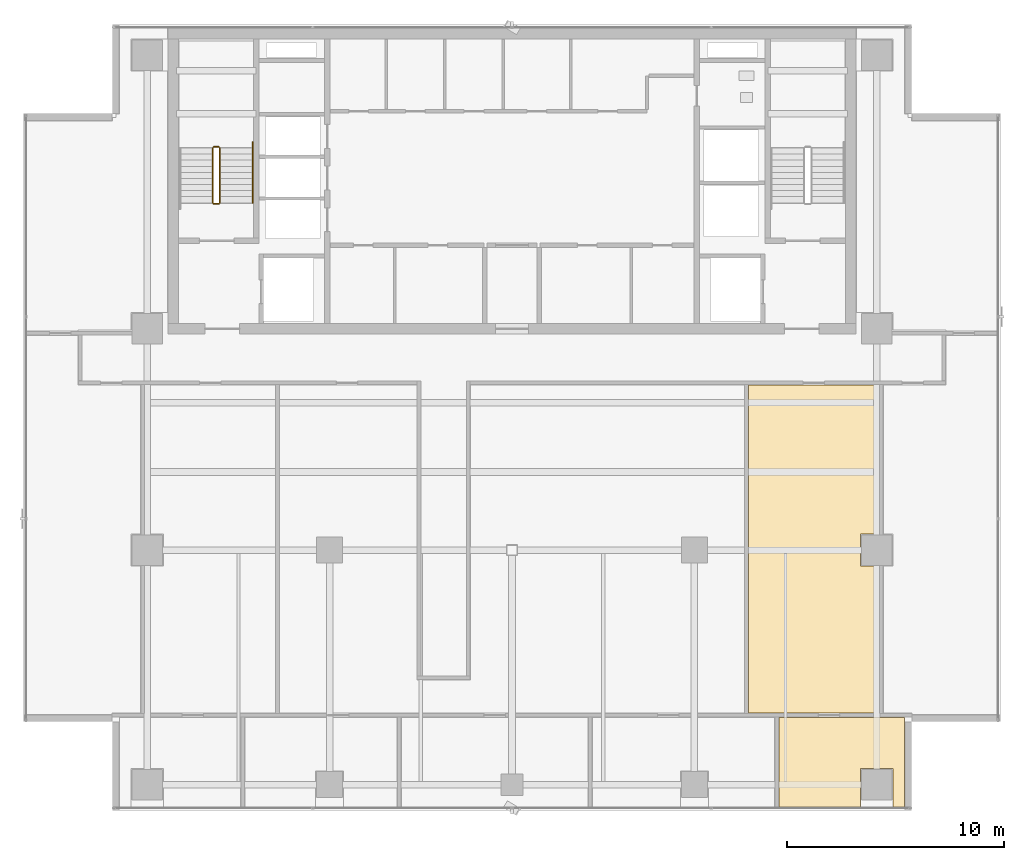
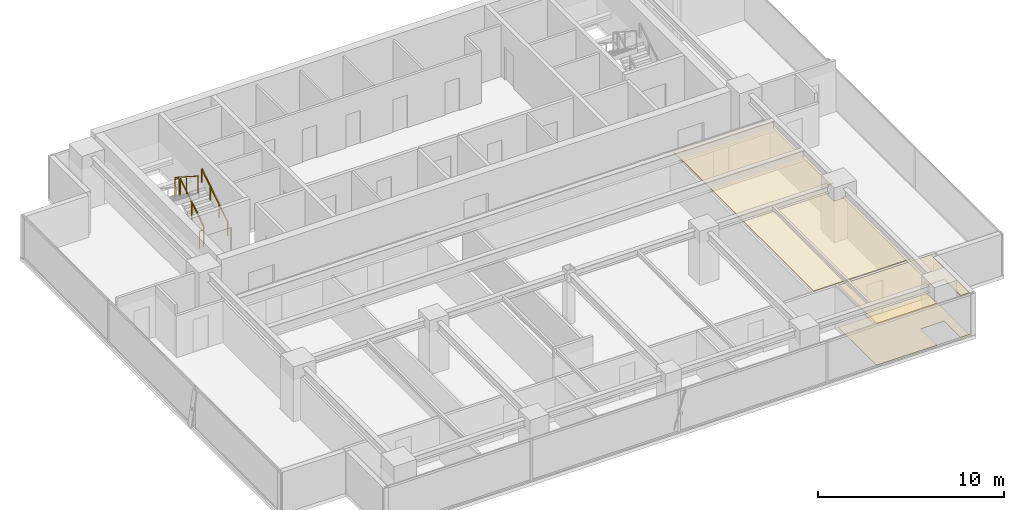
# One storey, part 24 of 26: 5 railings, 3 coverings.
"""IFC4 building model written with IfcOpenShell, lengths in metres."""

from ifc_helpers import new_model, si_unit, direction, frame, origin, origin_2d, place, context, subcontext, project, spatial, polyline, rectangle, outline, extrude, material, layer, layer_set, type_object, element, save


model = new_model("IFC4")

# Units and contexts
model_context = context("Model", 3, precision=1e-05, world=origin(), true_north=direction((0.0, 1.0)))
body_context = subcontext(model_context, "Body", "Model", "MODEL_VIEW")
ifc_project = project(units=[si_unit("LENGTHUNIT", "METRE"), si_unit("AREAUNIT", "SQUARE_METRE"), si_unit("VOLUMEUNIT", "CUBIC_METRE"), si_unit("PLANEANGLEUNIT", "RADIAN"), si_unit("MASSUNIT", "GRAM", prefix="KILO")], contexts=[model_context])

# Site, building, storey
site_placement = place(None, origin())
site = spatial("IfcSite", under=ifc_project, at=site_placement, CompositionType="ELEMENT")
building_placement = place(site_placement, origin())
building = spatial("IfcBuilding", under=site, at=building_placement, Name="Sumidabori Civic Tower", CompositionType="ELEMENT")
storey_placement = place(building_placement, frame((0.0, 0.0, 261.199951171875)))
storey = spatial("IfcBuildingStorey", under=building, at=storey_placement, Name="L68", CompositionType="ELEMENT", Elevation=261.199951171875)

# Coverings
ifc_material_1 = material(Name="Gypsum Coffered Acoustic Ceiling")
ifc_layer_1 = layer(ifc_material_1, 0.06494140625, Name="Gypsum Coffered Acoustic Ceiling")
ifc_layer_set_1 = layer_set([ifc_layer_1], Name="Gypsum Coffered Acoustic Ceiling")
covering_type_1 = type_object("IfcCoveringType", Name="CV-CEIL-AC4", PredefinedType="CEILING", material=ifc_layer_set_1)
covering_1_placement = place(storey_placement, frame((0.0, 0.0, 2.719970703125)))
element("IfcCovering", 1, at=covering_1_placement, inside=storey, type_object=covering_type_1, Name="Room Acoustic Ceiling L68-06", PredefinedType="CEILING", context=body_context, shape_type="SweptSolid", body=[
    extrude(outline(polyline([(10.902587890625, 7.614990234375), (16.8974609375, 7.614990234375), (16.8974609375, 0.739990234375), (16.06005859375, 0.739990234375), (16.06005859375, -0.739990234375), (16.8974609375, -0.739990234375), (16.8974609375, -7.49755859375), (10.902587890625, -7.49755859375), (10.902587890625, 7.614990234375)])), origin(), (0.0, 0.0, 1.0), 0.065185546875),
])
covering_2_placement = place(storey_placement, frame((0.0, 0.0, 2.719970703125)))
element("IfcCovering", 2, at=covering_2_placement, inside=storey, type_object=covering_type_1, Name="Room Acoustic Ceiling L68-09", PredefinedType="CEILING", context=body_context, shape_type="SweptSolid", body=[
    extrude(outline(polyline([(18.072021484375, -11.830078125), (17.5400390625, -11.830078125), (17.5400390625, -10.06005859375), (16.06005859375, -10.06005859375), (16.06005859375, -11.830078125), (12.302490234375, -11.830078125), (12.302490234375, -7.702392578125), (18.072021484375, -7.702392578125), (18.072021484375, -11.830078125)])), origin(), (0.0, 0.0, 1.0), 0.065185546875),
])
ifc_material_2 = material(Name="Honed Terrazzo Tile Flooring")
ifc_layer_2 = layer(ifc_material_2, 0.030029296875, Name="Honed Terrazzo Tile Flooring")
ifc_layer_set_2 = layer_set([ifc_layer_2], Name="Honed Terrazzo Tile Flooring")
covering_type_2 = type_object("IfcCoveringType", Name="CV-FLR-TER", PredefinedType="FLOORING", material=ifc_layer_set_2)
covering_3_placement = place(storey_placement, origin())
element("IfcCovering", 3, at=covering_3_placement, inside=storey, type_object=covering_type_2, Name="Room Terrazzo Floor L68-09", PredefinedType="FLOORING", context=body_context, shape_type="SweptSolid", body=[
    extrude(outline(polyline([(18.072021484375, -11.830078125), (17.5400390625, -11.830078125), (17.5400390625, -10.06005859375), (16.06005859375, -10.06005859375), (16.06005859375, -11.830078125), (12.302490234375, -11.830078125), (12.302490234375, -7.702392578125), (18.072021484375, -7.702392578125), (18.072021484375, -11.830078125)])), origin(), (0.0, 0.0, 1.0), 0.030029296875),
])

# Railings
ifc_material_3 = material(Name="Stainless Steel Hairline Finish", Category="steel")
railing_type_1 = type_object("IfcRailingType", Name="RL-HANDRAIL", PredefinedType="HANDRAIL", material=ifc_material_3)
railing_1_placement = place(storey_placement, frame((-11.949951171875, 16.0, 0.179931640625)))
element("IfcRailing", 4, at=railing_1_placement, inside=storey, type_object=railing_type_1, Name="L68 ST-1 stair handrail 1", PredefinedType="HANDRAIL", context=body_context, shape_type="SweptSolid", body=[
    extrude(rectangle(XDim=0.048095703125, YDim=0.048095703125, at=origin_2d()), frame((0.0, 0.0, 0.8759765625), z_axis=(0.0, 0.84064222762, 0.54159084662), x_axis=(-1.0, 0.0, 0.0)), (0.0, 0.0, 1.0), 3.330810546875),
    extrude(rectangle(XDim=0.0419921875, YDim=0.0419921875, at=origin_2d()), origin(), (0.0, 0.0, 1.0), 0.851806640625),
    extrude(rectangle(XDim=0.0419921875, YDim=0.0419921875, at=origin_2d()), frame((0.0, 0.933349609375, 0.601318359375)), (0.0, 0.0, 1.0), 0.851806640625),
    extrude(rectangle(XDim=0.0419921875, YDim=0.0419921875, at=origin_2d()), frame((0.0, 1.86669921875, 1.20263671875)), (0.0, 0.0, 1.0), 0.851806640625),
    extrude(rectangle(XDim=0.0419921875, YDim=0.0419921875, at=origin_2d()), frame((0.0, 2.800048828125, 1.803955078125)), (0.0, 0.0, 1.0), 0.851806640625),
])
ifc_material_4 = material(Name="Steel SN490", Category="steel")
railing_type_2 = type_object("IfcRailingType", Name="RL-STAIR-GUARD", PredefinedType="GUARDRAIL", material=ifc_material_4)
railing_2_placement = place(storey_placement, frame((-13.449951171875, 16.0, 0.179931640625)))
element("IfcRailing", 5, at=railing_2_placement, inside=storey, type_object=railing_type_2, Name="L68 ST-1 stair guard 1", PredefinedType="GUARDRAIL", context=body_context, shape_type="SweptSolid", body=[
    extrude(rectangle(XDim=0.048095703125, YDim=0.048095703125, at=origin_2d()), frame((0.0, 0.0, 1.1259765625), z_axis=(0.0, 0.841162588446, 0.540782303519), x_axis=(-1.0, 0.0, 0.0)), (0.0, 0.0, 1.0), 2.995849609375),
    extrude(rectangle(XDim=0.0419921875, YDim=0.0419921875, at=origin_2d()), origin(), (0.0, 0.0, 1.0), 1.101806640625),
    extrude(rectangle(XDim=0.0419921875, YDim=0.0419921875, at=origin_2d()), frame((0.0, 1.260009765625, 0.81005859375)), (0.0, 0.0, 1.0), 1.101806640625),
    extrude(rectangle(XDim=0.0419921875, YDim=0.0419921875, at=origin_2d()), frame((0.0, 2.52001953125, 1.6201171875)), (0.0, 0.0, 1.0), 1.101806640625),
])
railing_3_placement = place(storey_placement, frame((-13.5, 18.570068359375, 1.800048828125)))
element("IfcRailing", 6, at=railing_3_placement, inside=storey, type_object=railing_type_2, Name="L68 ST-1 stair guard 2", PredefinedType="GUARDRAIL", context=body_context, shape_type="SweptSolid", body=[
    extrude(rectangle(XDim=0.048095703125, YDim=0.048095703125, at=origin_2d()), frame((0.0, 0.0, 1.1259765625), z_axis=(-1.0, 0.0, 0.0), x_axis=(0.0, -1.0, 0.0)), (0.0, 0.0, 1.0), 0.239990234375),
    extrude(rectangle(XDim=0.0419921875, YDim=0.0419921875, at=origin_2d()), origin(), (0.0, 0.0, 1.0), 1.101806640625),
    extrude(rectangle(XDim=0.0419921875, YDim=0.0419921875, at=origin_2d()), frame((-0.239990234375, 0.0, 0.0)), (0.0, 0.0, 1.0), 1.101806640625),
])
railing_4_placement = place(storey_placement, frame((-13.7900390625, 18.52001953125, 1.97998046875)))
element("IfcRailing", 7, at=railing_4_placement, inside=storey, type_object=railing_type_2, Name="L68 ST-1 stair guard 3", PredefinedType="GUARDRAIL", context=body_context, shape_type="SweptSolid", body=[
    extrude(rectangle(XDim=0.048095703125, YDim=0.048095703125, at=origin_2d()), frame((0.0, 0.0, 1.1259765625), z_axis=(0.0, -0.841162588446, 0.540782303519), x_axis=(1.0, 0.0, 0.0)), (0.0, 0.0, 1.0), 2.995849609375),
    extrude(rectangle(XDim=0.0419921875, YDim=0.0419921875, at=origin_2d()), origin(), (0.0, 0.0, 1.0), 1.101806640625),
    extrude(rectangle(XDim=0.0419921875, YDim=0.0419921875, at=origin_2d()), frame((0.0, -1.260009765625, 0.81005859375)), (0.0, 0.0, 1.0), 1.101806640625),
    extrude(rectangle(XDim=0.0419921875, YDim=0.0419921875, at=origin_2d()), frame((0.0, -2.52001953125, 1.6201171875)), (0.0, 0.0, 1.0), 1.101806640625),
])
railing_5_placement = place(storey_placement, frame((-13.5, 15.949951171875, 0.0)))
element("IfcRailing", 8, at=railing_5_placement, inside=storey, type_object=railing_type_2, Name="L68 ST-1 stair guard 4", PredefinedType="GUARDRAIL", context=body_context, shape_type="SweptSolid", body=[
    extrude(rectangle(XDim=0.048095703125, YDim=0.048095703125, at=origin_2d()), frame((0.0, 0.0, 1.1259765625), z_axis=(-1.0, 0.0, 0.0), x_axis=(0.0, -1.0, 0.0)), (0.0, 0.0, 1.0), 0.239990234375),
    extrude(rectangle(XDim=0.0419921875, YDim=0.0419921875, at=origin_2d()), origin(), (0.0, 0.0, 1.0), 1.101806640625),
    extrude(rectangle(XDim=0.0419921875, YDim=0.0419921875, at=origin_2d()), frame((-0.239990234375, 0.0, 0.0)), (0.0, 0.0, 1.0), 1.101806640625),
])

save(model, "model.ifc")
